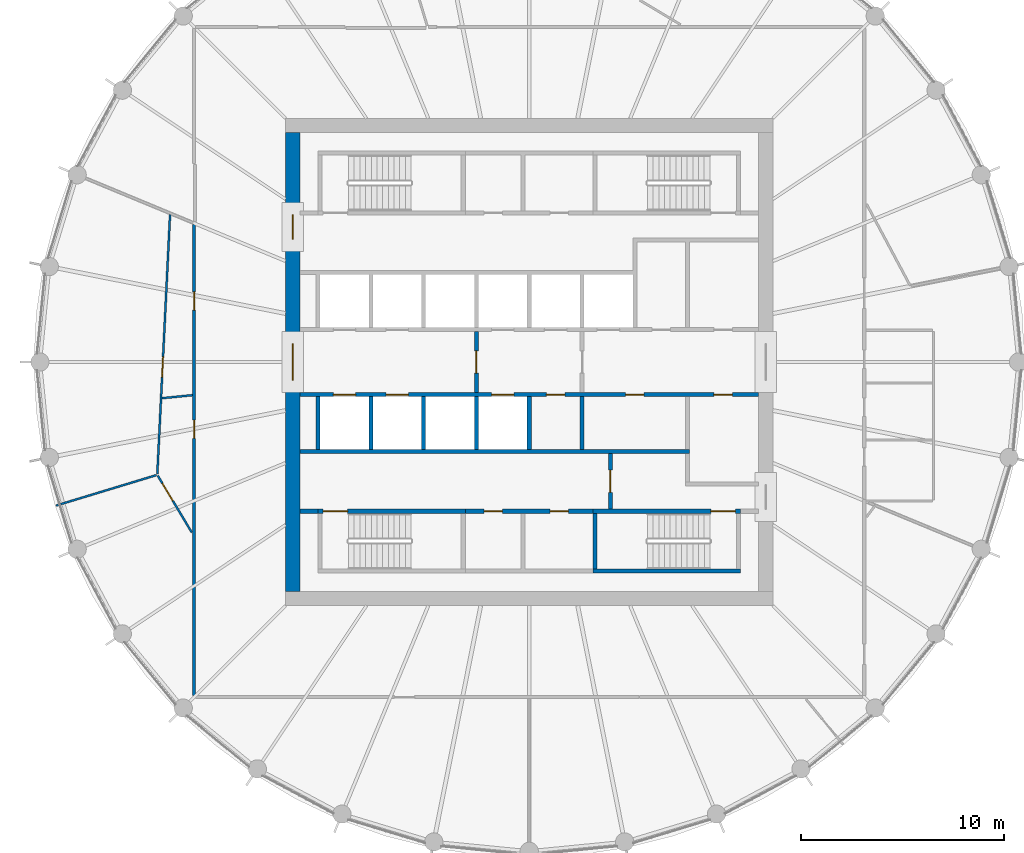
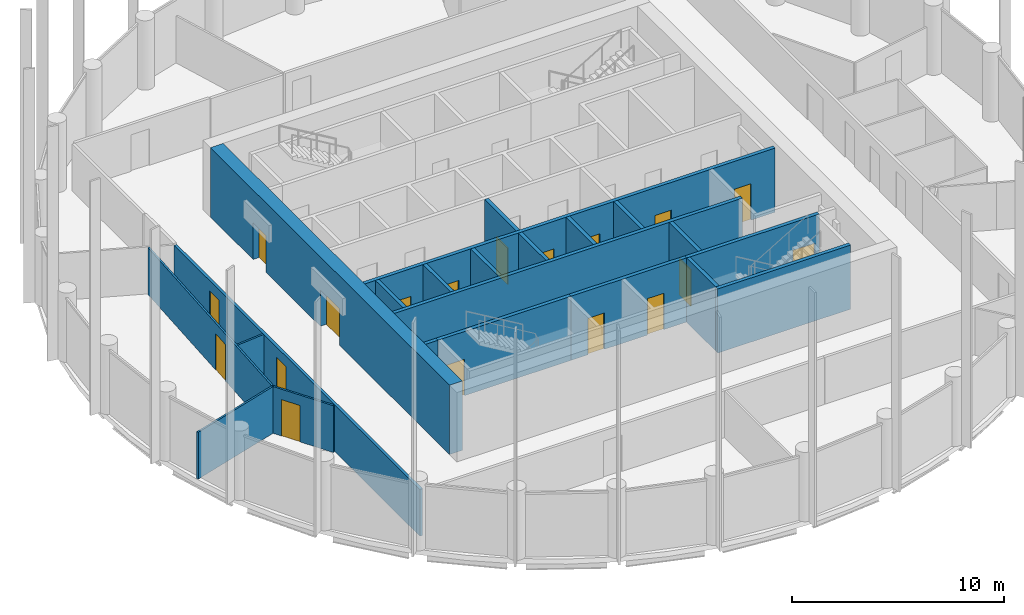
# One storey, part 4 of 7: 22 walls, 18 doors, 18 openings.
"""IFC4 building model written with IfcOpenShell, lengths in metres."""

from ifc_helpers import new_model, si_unit, direction, frame, frame_2d, origin, place, context, subcontext, project, spatial, polyline, rectangle, outline, extrude, material, layer, layer_set, type_object, element, fill, save


model = new_model("IFC4")

# Units and contexts
model_context = context("Model", 3, precision=1e-05, world=origin(), true_north=direction((0.0, 1.0)))
body_context = subcontext(model_context, "Body", "Model", "MODEL_VIEW")
ifc_project = project(units=[si_unit("LENGTHUNIT", "METRE"), si_unit("AREAUNIT", "SQUARE_METRE"), si_unit("VOLUMEUNIT", "CUBIC_METRE"), si_unit("PLANEANGLEUNIT", "RADIAN"), si_unit("MASSUNIT", "GRAM", prefix="KILO")], contexts=[model_context])

# Site, building, storey
site_placement = place(None, origin())
site = spatial("IfcSite", under=ifc_project, at=site_placement, CompositionType="ELEMENT")
building_placement = place(site_placement, origin())
building = spatial("IfcBuilding", under=site, at=building_placement, Name="Corvane Civic Tower", CompositionType="ELEMENT")
storey_placement = place(building_placement, frame((0.0, 0.0, 311.0)))
storey = spatial("IfcBuildingStorey", under=building, at=storey_placement, Name="L74", CompositionType="ELEMENT", Elevation=311.0)

# Wall, openings, doors
ifc_material_1 = material(Name="Concrete C40/50", Category="concrete")
ifc_layer_1 = layer(ifc_material_1, 0.699951171875)
ifc_layer_set_1 = layer_set([ifc_layer_1], Name="Concrete C40/50")
wall_type_1 = type_object("IfcWallType", Name="CORE WALL 700 C40/50", PredefinedType="SHEAR", material=ifc_layer_set_1)
wall_1_placement = place(storey_placement, frame((-11.64990234375, -11.300048828125, 0.0), z_axis=(0.0, 0.0, 1.0), x_axis=(0.0, 1.0, 0.0)))
wall_1 = element("IfcWall", 1, at=wall_1_placement, inside=storey, type_object=wall_type_1, Name="W-L74-core-W", PredefinedType="SHEAR", context=body_context, shape_type="SweptSolid", body=[
    extrude(rectangle(XDim=22.60009765625, YDim=0.699951171875, at=frame_2d((11.300048828125, 0.0))), origin(), (0.0, 0.0, 1.0), 4.0),
])
opening_1_placement = place(wall_1_placement, frame((10.39990234375, 0.0, 0.0)))
opening_1 = element("IfcOpeningElement", 2, at=opening_1_placement, cuts=wall_1, Name="Opening L74.C17", PredefinedType="OPENING", context=body_context, shape_type="SweptSolid", body=[
    extrude(rectangle(XDim=1.800048828125, YDim=2.10009765625, at=frame_2d((0.89990234375, 1.050048828125))), frame((0.0, 0.35986328125, 0.0), z_axis=(0.0, -1.0, 0.0), x_axis=(1.0, 0.0, 0.0)), (0.0, 0.0, 1.0), 0.719970703125),
])
opening_2_placement = place(wall_1_placement, frame((17.35009765625, 0.0, 0.0)))
opening_2 = element("IfcOpeningElement", 3, at=opening_2_placement, cuts=wall_1, Name="Opening L74.C19", PredefinedType="OPENING", context=body_context, shape_type="SweptSolid", body=[
    extrude(rectangle(XDim=1.199951171875, YDim=2.10009765625, at=frame_2d((0.60009765625, 1.050048828125))), frame((0.0, 0.35986328125, 0.0), z_axis=(0.0, -1.0, 0.0), x_axis=(1.0, 0.0, 0.0)), (0.0, 0.0, 1.0), 0.719970703125),
])
ifc_material_2 = material(Name="Steel fire door leaf", Category="steel")
door_type_1 = type_object("IfcDoorType", Name="CR-DOOR-CORE-1800", OperationType="DOUBLE_DOOR_SINGLE_SWING", PredefinedType="DOOR", material=ifc_material_2)
door_1_placement = place(opening_1_placement, origin())
door_1 = element("IfcDoor", 4, at=door_1_placement, inside=storey, type_object=door_type_1, Name="L74 door", OperationType="DOUBLE_DOOR_SINGLE_SWING", OverallHeight=2.10009765625, OverallWidth=1.800048828125, PredefinedType="DOOR", context=body_context, shape_type="SweptSolid", body=[
    extrude(rectangle(XDim=1.800048828125, YDim=2.10009765625, at=frame_2d((0.89990234375, 1.050048828125))), frame((0.0, 0.02490234375, 0.0), z_axis=(0.0, -1.0, 0.0), x_axis=(1.0, 0.0, 0.0)), (0.0, 0.0, 1.0), 0.050048828125),
])
fill(opening_1, door_1)
door_2_placement = place(opening_2_placement, origin())
door_2 = element("IfcDoor", 5, at=door_2_placement, inside=storey, type_object=door_type_1, Name="L74 door", OperationType="DOUBLE_DOOR_SINGLE_SWING", OverallHeight=2.10009765625, OverallWidth=1.199951171875, PredefinedType="DOOR", context=body_context, shape_type="SweptSolid", body=[
    extrude(rectangle(XDim=1.199951171875, YDim=2.10009765625, at=frame_2d((0.60009765625, 1.050048828125))), frame((0.0, 0.02490234375, 0.0), z_axis=(0.0, -1.0, 0.0), x_axis=(1.0, 0.0, 0.0)), (0.0, 0.0, 1.0), 0.050048828125),
])
fill(opening_2, door_2)

ifc_material_3 = material(Name="Concrete C30/37", Category="concrete")
ifc_layer_2 = layer(ifc_material_3, 0.199951171875)
ifc_layer_set_2 = layer_set([ifc_layer_2], Name="Concrete C30/37")
wall_type_2 = type_object("IfcWallType", Name="CR-WALL-200", PredefinedType="PARTITIONING", material=ifc_layer_set_2)
wall_2_placement = place(storey_placement, frame((-3.14990234375, -7.35009765625, 0.0), z_axis=(0.0, 0.0, 1.0), x_axis=(1.0, 0.0, 0.0)))
wall_2 = element("IfcWall", 6, at=wall_2_placement, inside=storey, type_object=wall_type_2, Name="L74 core partition wall", PredefinedType="PARTITIONING", context=body_context, shape_type="SweptSolid", body=[
    extrude(rectangle(XDim=6.2998046875, YDim=0.199951171875, at=frame_2d((3.14990234375, 0.0))), origin(), (0.0, 0.0, 1.0), 3.699951171875),
])
opening_3_placement = place(wall_2_placement, frame((0.925048828125, 0.0, 0.0)))
opening_3 = element("IfcOpeningElement", 7, at=opening_3_placement, cuts=wall_2, Name="Opening L74.C08", PredefinedType="OPENING", context=body_context, shape_type="SweptSolid", body=[
    extrude(rectangle(XDim=0.89990234375, YDim=2.10009765625, at=frame_2d((0.449951171875, 1.050048828125))), frame((0.0, 0.10986328125, 0.0), z_axis=(0.0, -1.0, 0.0), x_axis=(1.0, 0.0, 0.0)), (0.0, 0.0, 1.0), 0.219970703125),
])
opening_4_placement = place(wall_2_placement, frame((4.175048828125, 0.0, 0.0)))
opening_4 = element("IfcOpeningElement", 8, at=opening_4_placement, cuts=wall_2, Name="Opening L74.C09", PredefinedType="OPENING", context=body_context, shape_type="SweptSolid", body=[
    extrude(rectangle(XDim=0.89990234375, YDim=2.10009765625, at=frame_2d((0.449951171875, 1.050048828125))), frame((0.0, 0.10986328125, 0.0), z_axis=(0.0, -1.0, 0.0), x_axis=(1.0, 0.0, 0.0)), (0.0, 0.0, 1.0), 0.219970703125),
])
ifc_material_4 = material(Name="Steel fire door leaf", Category="steel")
door_type_2 = type_object("IfcDoorType", Name="CR-DOOR-900", OperationType="SINGLE_SWING_LEFT", PredefinedType="DOOR", material=ifc_material_4)
door_3_placement = place(opening_3_placement, origin())
door_3 = element("IfcDoor", 9, at=door_3_placement, inside=storey, type_object=door_type_2, Name="L74 door", OperationType="SINGLE_SWING_LEFT", OverallHeight=2.10009765625, OverallWidth=0.89990234375, PredefinedType="DOOR", context=body_context, shape_type="SweptSolid", body=[
    extrude(rectangle(XDim=0.89990234375, YDim=2.10009765625, at=frame_2d((0.449951171875, 1.050048828125))), frame((0.0, 0.02490234375, 0.0), z_axis=(0.0, -1.0, 0.0), x_axis=(1.0, 0.0, 0.0)), (0.0, 0.0, 1.0), 0.050048828125),
])
fill(opening_3, door_3)
door_4_placement = place(opening_4_placement, origin())
door_4 = element("IfcDoor", 10, at=door_4_placement, inside=storey, type_object=door_type_2, Name="L74 door", OperationType="SINGLE_SWING_LEFT", OverallHeight=2.10009765625, OverallWidth=0.89990234375, PredefinedType="DOOR", context=body_context, shape_type="SweptSolid", body=[
    extrude(rectangle(XDim=0.89990234375, YDim=2.10009765625, at=frame_2d((0.449951171875, 1.050048828125))), frame((0.0, 0.02490234375, 0.0), z_axis=(0.0, -1.0, 0.0), x_axis=(1.0, 0.0, 0.0)), (0.0, 0.0, 1.0), 0.050048828125),
])
fill(opening_4, door_4)

wall_3_placement = place(storey_placement, frame((-11.300048828125, -1.60009765625, 0.0), z_axis=(0.0, 0.0, 1.0), x_axis=(1.0, 0.0, 0.0)))
wall_3 = element("IfcWall", 11, at=wall_3_placement, inside=storey, type_object=wall_type_2, Name="L74 lift shaft wall", PredefinedType="PARTITIONING", context=body_context, shape_type="SweptSolid", body=[
    extrude(rectangle(XDim=22.60009765625, YDim=0.199951171875, at=frame_2d((11.300048828125, 0.0))), origin(), (0.0, 0.0, 1.0), 3.699951171875),
])
opening_5_placement = place(wall_3_placement, frame((1.64990234375, 0.0, 0.0)))
opening_5 = element("IfcOpeningElement", 12, at=opening_5_placement, cuts=wall_3, Name="Opening LD", PredefinedType="OPENING", context=body_context, shape_type="SweptSolid", body=[
    extrude(rectangle(XDim=1.10009765625, YDim=2.10009765625, at=frame_2d((0.550048828125, 1.050048828125))), frame((0.0, 0.10986328125, 0.0), z_axis=(0.0, -1.0, 0.0), x_axis=(1.0, 0.0, 0.0)), (0.0, 0.0, 1.0), 0.219970703125),
])
opening_6_placement = place(wall_3_placement, frame((4.25, 0.0, 0.0)))
opening_6 = element("IfcOpeningElement", 13, at=opening_6_placement, cuts=wall_3, Name="Opening LD", PredefinedType="OPENING", context=body_context, shape_type="SweptSolid", body=[
    extrude(rectangle(XDim=1.10009765625, YDim=2.10009765625, at=frame_2d((0.550048828125, 1.050048828125))), frame((0.0, 0.10986328125, 0.0), z_axis=(0.0, -1.0, 0.0), x_axis=(1.0, 0.0, 0.0)), (0.0, 0.0, 1.0), 0.219970703125),
])
opening_7_placement = place(wall_3_placement, frame((9.449951171875, 0.0, 0.0)))
opening_7 = element("IfcOpeningElement", 14, at=opening_7_placement, cuts=wall_3, Name="Opening LD", PredefinedType="OPENING", context=body_context, shape_type="SweptSolid", body=[
    extrude(rectangle(XDim=1.10009765625, YDim=2.10009765625, at=frame_2d((0.550048828125, 1.050048828125))), frame((0.0, 0.10986328125, 0.0), z_axis=(0.0, -1.0, 0.0), x_axis=(1.0, 0.0, 0.0)), (0.0, 0.0, 1.0), 0.219970703125),
])
opening_8_placement = place(wall_3_placement, frame((12.14990234375, 0.0, 0.0)))
opening_8 = element("IfcOpeningElement", 15, at=opening_8_placement, cuts=wall_3, Name="Opening L74.C03", PredefinedType="OPENING", context=body_context, shape_type="SweptSolid", body=[
    extrude(rectangle(XDim=0.89990234375, YDim=2.10009765625, at=frame_2d((0.449951171875, 1.050048828125))), frame((0.0, 0.10986328125, 0.0), z_axis=(0.0, -1.0, 0.0), x_axis=(1.0, 0.0, 0.0)), (0.0, 0.0, 1.0), 0.219970703125),
])
opening_9_placement = place(wall_3_placement, frame((16.050048828125, 0.0, 0.0)))
opening_9 = element("IfcOpeningElement", 16, at=opening_9_placement, cuts=wall_3, Name="Opening L74.C04", PredefinedType="OPENING", context=body_context, shape_type="SweptSolid", body=[
    extrude(rectangle(XDim=0.89990234375, YDim=2.10009765625, at=frame_2d((0.449951171875, 1.050048828125))), frame((0.0, 0.10986328125, 0.0), z_axis=(0.0, -1.0, 0.0), x_axis=(1.0, 0.0, 0.0)), (0.0, 0.0, 1.0), 0.219970703125),
])
opening_10_placement = place(wall_3_placement, frame((20.39990234375, 0.0, 0.0)))
opening_10 = element("IfcOpeningElement", 17, at=opening_10_placement, cuts=wall_3, Name="Opening L74.C05", PredefinedType="OPENING", context=body_context, shape_type="SweptSolid", body=[
    extrude(rectangle(XDim=0.89990234375, YDim=2.10009765625, at=frame_2d((0.449951171875, 1.050048828125))), frame((0.0, 0.10986328125, 0.0), z_axis=(0.0, -1.0, 0.0), x_axis=(1.0, 0.0, 0.0)), (0.0, 0.0, 1.0), 0.219970703125),
])
door_5_placement = place(opening_8_placement, origin())
door_5 = element("IfcDoor", 18, at=door_5_placement, inside=storey, type_object=door_type_2, Name="L74 door", OperationType="SINGLE_SWING_LEFT", OverallHeight=2.10009765625, OverallWidth=0.89990234375, PredefinedType="DOOR", context=body_context, shape_type="SweptSolid", body=[
    extrude(rectangle(XDim=0.89990234375, YDim=2.10009765625, at=frame_2d((0.449951171875, 1.050048828125))), frame((0.0, 0.02490234375, 0.0), z_axis=(0.0, -1.0, 0.0), x_axis=(1.0, 0.0, 0.0)), (0.0, 0.0, 1.0), 0.050048828125),
])
fill(opening_8, door_5)
door_6_placement = place(opening_9_placement, origin())
door_6 = element("IfcDoor", 19, at=door_6_placement, inside=storey, type_object=door_type_2, Name="L74 door", OperationType="SINGLE_SWING_LEFT", OverallHeight=2.10009765625, OverallWidth=0.89990234375, PredefinedType="DOOR", context=body_context, shape_type="SweptSolid", body=[
    extrude(rectangle(XDim=0.89990234375, YDim=2.10009765625, at=frame_2d((0.449951171875, 1.050048828125))), frame((0.0, 0.02490234375, 0.0), z_axis=(0.0, -1.0, 0.0), x_axis=(1.0, 0.0, 0.0)), (0.0, 0.0, 1.0), 0.050048828125),
])
fill(opening_9, door_6)
door_7_placement = place(opening_10_placement, origin())
door_7 = element("IfcDoor", 20, at=door_7_placement, inside=storey, type_object=door_type_2, Name="L74 door", OperationType="SINGLE_SWING_LEFT", OverallHeight=2.10009765625, OverallWidth=0.89990234375, PredefinedType="DOOR", context=body_context, shape_type="SweptSolid", body=[
    extrude(rectangle(XDim=0.89990234375, YDim=2.10009765625, at=frame_2d((0.449951171875, 1.050048828125))), frame((0.0, 0.02490234375, 0.0), z_axis=(0.0, -1.0, 0.0), x_axis=(1.0, 0.0, 0.0)), (0.0, 0.0, 1.0), 0.050048828125),
])
fill(opening_10, door_7)
ifc_material_5 = material(Name="Stainless steel 316 door leaves", Category="steel")
door_type_3 = type_object("IfcDoorType", Name="LD", OperationType="DOUBLE_DOOR_SLIDING", PredefinedType="DOOR", material=ifc_material_5)
door_8_placement = place(opening_5_placement, origin())
door_8 = element("IfcDoor", 21, at=door_8_placement, inside=storey, type_object=door_type_3, Name="L74 landing door", OperationType="DOUBLE_DOOR_SLIDING", OverallHeight=2.10009765625, OverallWidth=1.10009765625, PredefinedType="DOOR", context=body_context, shape_type="SweptSolid", body=[
    extrude(rectangle(XDim=1.10009765625, YDim=2.10009765625, at=frame_2d((0.550048828125, 1.050048828125))), frame((0.0, 0.02490234375, 0.0), z_axis=(0.0, -1.0, 0.0), x_axis=(1.0, 0.0, 0.0)), (0.0, 0.0, 1.0), 0.050048828125),
])
fill(opening_5, door_8)
door_9_placement = place(opening_6_placement, origin())
door_9 = element("IfcDoor", 22, at=door_9_placement, inside=storey, type_object=door_type_3, Name="L74 landing door", OperationType="DOUBLE_DOOR_SLIDING", OverallHeight=2.10009765625, OverallWidth=1.10009765625, PredefinedType="DOOR", context=body_context, shape_type="SweptSolid", body=[
    extrude(rectangle(XDim=1.10009765625, YDim=2.10009765625, at=frame_2d((0.550048828125, 1.050048828125))), frame((0.0, 0.02490234375, 0.0), z_axis=(0.0, -1.0, 0.0), x_axis=(1.0, 0.0, 0.0)), (0.0, 0.0, 1.0), 0.050048828125),
])
fill(opening_6, door_9)
door_10_placement = place(opening_7_placement, origin())
door_10 = element("IfcDoor", 23, at=door_10_placement, inside=storey, type_object=door_type_3, Name="L74 landing door", OperationType="DOUBLE_DOOR_SLIDING", OverallHeight=2.10009765625, OverallWidth=1.10009765625, PredefinedType="DOOR", context=body_context, shape_type="SweptSolid", body=[
    extrude(rectangle(XDim=1.10009765625, YDim=2.10009765625, at=frame_2d((0.550048828125, 1.050048828125))), frame((0.0, 0.02490234375, 0.0), z_axis=(0.0, -1.0, 0.0), x_axis=(1.0, 0.0, 0.0)), (0.0, 0.0, 1.0), 0.050048828125),
])
fill(opening_7, door_10)

# Wall, opening, door
wall_4_placement = place(storey_placement, frame((-2.60009765625, -1.5, 0.0), z_axis=(0.0, 0.0, 1.0), x_axis=(0.0, 1.0, 0.0)))
wall_4 = element("IfcWall", 24, at=wall_4_placement, inside=storey, type_object=wall_type_2, Name="L74 firefighting lobby wall", PredefinedType="PARTITIONING", context=body_context, shape_type="SweptSolid", body=[
    extrude(rectangle(XDim=3.0, YDim=0.199951171875, at=frame_2d((1.5, 0.0))), origin(), (0.0, 0.0, 1.0), 3.699951171875),
])
opening_11_placement = place(wall_4_placement, frame((0.949951171875, 0.0, 0.0)))
opening_11 = element("IfcOpeningElement", 25, at=opening_11_placement, cuts=wall_4, Name="Opening L74.C14", PredefinedType="OPENING", context=body_context, shape_type="SweptSolid", body=[
    extrude(rectangle(XDim=1.10009765625, YDim=2.10009765625, at=frame_2d((0.550048828125, 1.050048828125))), frame((0.0, 0.10986328125, 0.0), z_axis=(0.0, -1.0, 0.0), x_axis=(1.0, 0.0, 0.0)), (0.0, 0.0, 1.0), 0.219970703125),
])
ifc_material_6 = material(Name="Steel fire door leaf", Category="steel")
door_type_4 = type_object("IfcDoorType", Name="CR-DOOR-FFL-1100", OperationType="SINGLE_SWING_LEFT", PredefinedType="DOOR", material=ifc_material_6)
door_11_placement = place(opening_11_placement, origin())
door_11 = element("IfcDoor", 26, at=door_11_placement, inside=storey, type_object=door_type_4, Name="L74 lobby door", OperationType="SINGLE_SWING_LEFT", OverallHeight=2.10009765625, OverallWidth=1.10009765625, PredefinedType="DOOR", context=body_context, shape_type="SweptSolid", body=[
    extrude(rectangle(XDim=1.10009765625, YDim=2.10009765625, at=frame_2d((0.550048828125, 1.050048828125))), frame((0.0, 0.02490234375, 0.0), z_axis=(0.0, -1.0, 0.0), x_axis=(1.0, 0.0, 0.0)), (0.0, 0.0, 1.0), 0.050048828125),
])
fill(opening_11, door_11)

wall_5_placement = place(storey_placement, frame((4.0, -7.25, 0.0), z_axis=(0.0, 0.0, 1.0), x_axis=(0.0, 1.0, 0.0)))
wall_5 = element("IfcWall", 27, at=wall_5_placement, inside=storey, type_object=wall_type_2, Name="L74 core partition wall", PredefinedType="PARTITIONING", context=body_context, shape_type="SweptSolid", body=[
    extrude(rectangle(XDim=2.75, YDim=0.199951171875, at=frame_2d((1.375, 0.0))), origin(), (0.0, 0.0, 1.0), 3.699951171875),
])
opening_12_placement = place(wall_5_placement, frame((0.824951171875, 0.0, 0.0)))
opening_12 = element("IfcOpeningElement", 28, at=opening_12_placement, cuts=wall_5, Name="Opening L74.C16", PredefinedType="OPENING", context=body_context, shape_type="SweptSolid", body=[
    extrude(rectangle(XDim=1.10009765625, YDim=2.10009765625, at=frame_2d((0.550048828125, 1.050048828125))), frame((0.0, 0.10986328125, 0.0), z_axis=(0.0, -1.0, 0.0), x_axis=(1.0, 0.0, 0.0)), (0.0, 0.0, 1.0), 0.219970703125),
])
door_12_placement = place(opening_12_placement, origin())
door_12 = element("IfcDoor", 29, at=door_12_placement, inside=storey, type_object=door_type_4, Name="L74 lobby door", OperationType="SINGLE_SWING_LEFT", OverallHeight=2.10009765625, OverallWidth=1.10009765625, PredefinedType="DOOR", context=body_context, shape_type="SweptSolid", body=[
    extrude(rectangle(XDim=1.10009765625, YDim=2.10009765625, at=frame_2d((0.550048828125, 1.050048828125))), frame((0.0, 0.02490234375, 0.0), z_axis=(0.0, -1.0, 0.0), x_axis=(1.0, 0.0, 0.0)), (0.0, 0.0, 1.0), 0.050048828125),
])
fill(opening_12, door_12)

# Walls
wall_6_placement = place(storey_placement, origin())
element("IfcWall", 30, at=wall_6_placement, inside=storey, type_object=wall_type_2, Name="L74 core partition wall", PredefinedType="PARTITIONING", context=body_context, shape_type="SweptSolid", body=[
    extrude(outline(polyline([(7.89990234375, -4.300048828125), (7.89990234375, -4.5), (-11.300048828125, -4.5), (-11.300048828125, -4.300048828125), (7.89990234375, -4.300048828125)])), origin(), (0.0, 0.0, 1.0), 3.699951171875),
])
wall_7_placement = place(storey_placement, origin())
element("IfcWall", 31, at=wall_7_placement, inside=storey, type_object=wall_type_2, Name="L74 core partition wall", PredefinedType="PARTITIONING", context=body_context, shape_type="SweptSolid", body=[
    extrude(outline(polyline([(-2.5, -1.699951171875), (-2.5, -4.2998046875), (-2.699951171875, -4.2998046875), (-2.699951171875, -1.699951171875), (-2.5, -1.699951171875)])), origin(), (0.0, 0.0, 1.0), 3.699951171875),
])
wall_8_placement = place(storey_placement, origin())
element("IfcWall", 32, at=wall_8_placement, inside=storey, type_object=wall_type_2, Name="L74 core partition wall", PredefinedType="PARTITIONING", context=body_context, shape_type="SweptSolid", body=[
    extrude(outline(polyline([(2.699951171875, -1.699951171875), (2.699951171875, -4.2998046875), (2.5, -4.2998046875), (2.5, -1.699951171875), (2.699951171875, -1.699951171875)])), origin(), (0.0, 0.0, 1.0), 3.699951171875),
])
wall_9_placement = place(storey_placement, origin())
element("IfcWall", 33, at=wall_9_placement, inside=storey, type_object=wall_type_2, Name="L74 core partition wall", PredefinedType="PARTITIONING", context=body_context, shape_type="SweptSolid", body=[
    extrude(outline(polyline([(0.10009765625, -1.699951171875), (0.10009765625, -4.2998046875), (-0.10009765625, -4.2998046875), (-0.10009765625, -1.699951171875), (0.10009765625, -1.699951171875)])), origin(), (0.0, 0.0, 1.0), 3.699951171875),
])
wall_10_placement = place(storey_placement, origin())
element("IfcWall", 34, at=wall_10_placement, inside=storey, type_object=wall_type_2, Name="L74 core partition wall", PredefinedType="PARTITIONING", context=body_context, shape_type="SweptSolid", body=[
    extrude(outline(polyline([(-10.300048828125, -1.699951171875), (-10.300048828125, -4.2998046875), (-10.5, -4.2998046875), (-10.5, -1.699951171875), (-10.300048828125, -1.699951171875)])), origin(), (0.0, 0.0, 1.0), 3.699951171875),
])
wall_11_placement = place(storey_placement, origin())
element("IfcWall", 35, at=wall_11_placement, inside=storey, type_object=wall_type_2, Name="L74 core partition wall", PredefinedType="PARTITIONING", context=body_context, shape_type="SweptSolid", body=[
    extrude(outline(polyline([(-7.699951171875, -1.699951171875), (-7.699951171875, -4.2998046875), (-7.89990234375, -4.2998046875), (-7.89990234375, -1.699951171875), (-7.699951171875, -1.699951171875)])), origin(), (0.0, 0.0, 1.0), 3.699951171875),
])
wall_12_placement = place(storey_placement, origin())
element("IfcWall", 36, at=wall_12_placement, inside=storey, type_object=wall_type_2, Name="L74 core partition wall", PredefinedType="PARTITIONING", context=body_context, shape_type="SweptSolid", body=[
    extrude(outline(polyline([(-5.10009765625, -1.699951171875), (-5.10009765625, -4.2998046875), (-5.300048828125, -4.2998046875), (-5.300048828125, -1.699951171875), (-5.10009765625, -1.699951171875)])), origin(), (0.0, 0.0, 1.0), 3.699951171875),
])
wall_13_placement = place(storey_placement, origin())
element("IfcWall", 37, at=wall_13_placement, inside=storey, type_object=wall_type_2, Name="L74 core partition wall", PredefinedType="PARTITIONING", context=body_context, shape_type="SweptSolid", body=[
    extrude(outline(polyline([(-10.39990234375, -7.449951171875), (-11.300048828125, -7.449951171875), (-11.300048828125, -7.25), (-10.39990234375, -7.25), (-10.39990234375, -7.449951171875)])), origin(), (0.0, 0.0, 1.0), 3.699951171875),
])

# Wall, opening, door
ifc_material_7 = material(Name="Plasterboard")
ifc_layer_3 = layer(ifc_material_7, 0.10009765625)
ifc_layer_set_3 = layer_set([ifc_layer_3], Name="Plasterboard")
wall_type_3 = type_object("IfcWallType", Name="Partition 100 plasterboard on studs", PredefinedType="PARTITIONING", material=ifc_layer_set_3)
wall_14_placement = place(storey_placement, frame((-18.299560546875, -5.5908203125, 0.0), z_axis=(0.0, 0.0, 1.0), x_axis=(0.514100563047, -0.857729917325, 0.0)))
wall_14 = element("IfcWall", 38, at=wall_14_placement, inside=storey, type_object=wall_type_3, Name="Partition L74.008", PredefinedType="PARTITIONING", context=body_context, shape_type="SweptSolid", body=[
    extrude(rectangle(XDim=3.27099609375, YDim=0.10009765625, at=frame_2d((1.635498046875, 0.0))), origin(), (0.0, 0.0, 1.0), 2.699951171875),
])
opening_13_placement = place(wall_14_placement, frame((0.454833984375, 0.0, 0.0)))
opening_13 = element("IfcOpeningElement", 39, at=opening_13_placement, cuts=wall_14, Name="Opening L74.004", PredefinedType="OPENING", context=body_context, shape_type="SweptSolid", body=[
    extrude(rectangle(XDim=1.0, YDim=2.10009765625, at=frame_2d((0.5, 1.050048828125))), frame((0.0, 0.06005859375, 0.0), z_axis=(0.0, -1.0, 0.0), x_axis=(1.0, 0.0, 0.0)), (0.0, 0.0, 1.0), 0.1201171875),
])
ifc_material_8 = material(Name="Timber", Category="wood")
door_type_5 = type_object("IfcDoorType", Name="Single door 1000", OperationType="NOTDEFINED", PredefinedType="DOOR", material=ifc_material_8)
door_13_placement = place(opening_13_placement, frame((1.0, 0.0, 0.0), z_axis=(0.0, 0.0, 1.0), x_axis=(-1.0, 0.0, 0.0)))
door_13 = element("IfcDoor", 40, at=door_13_placement, inside=storey, type_object=door_type_5, Name="Door L74.004", OperationType="SINGLE_SWING_LEFT", OverallHeight=2.10009765625, OverallWidth=1.0, PredefinedType="DOOR", context=body_context, shape_type="SweptSolid", body=[
    extrude(rectangle(XDim=1.0, YDim=2.10009765625, at=frame_2d((0.5, 1.050048828125))), frame((0.0, 0.02490234375, 0.0), z_axis=(0.0, -1.0, 0.0), x_axis=(1.0, 0.0, 0.0)), (0.0, 0.0, 1.0), 0.050048828125),
])
fill(opening_13, door_13)

# Wall
wall_15_placement = place(storey_placement, frame((-23.3017578125, -7.068603515625, 0.0), z_axis=(0.0, 0.0, 1.0), x_axis=(0.956940122193, 0.290285381197, 0.0)))
element("IfcWall", 41, at=wall_15_placement, inside=storey, type_object=wall_type_3, Name="Partition L74.010", PredefinedType="PARTITIONING", context=body_context, shape_type="SweptSolid", body=[
    extrude(rectangle(XDim=5.167236328125, YDim=0.10009765625, at=frame_2d((2.58349609375, 0.0))), origin(), (0.0, 0.0, 1.0), 2.699951171875),
])

# Wall, opening, door
wall_16_placement = place(storey_placement, frame((-18.31787109375, -5.52197265625, 0.0), z_axis=(0.0, 0.0, 1.0), x_axis=(0.049066652278, 0.998795506415, 0.0)))
wall_16 = element("IfcWall", 42, at=wall_16_placement, inside=storey, type_object=wall_type_3, Name="Partition L74.014", PredefinedType="PARTITIONING", context=body_context, shape_type="SweptSolid", body=[
    extrude(rectangle(XDim=12.79248046875, YDim=0.10009765625, at=frame_2d((6.396240234375, 0.0))), origin(), (0.0, 0.0, 1.0), 2.699951171875),
])
opening_14_placement = place(wall_16_placement, frame((4.78515625, 0.0, 0.0)))
opening_14 = element("IfcOpeningElement", 43, at=opening_14_placement, cuts=wall_16, Name="Opening L74.005", PredefinedType="OPENING", context=body_context, shape_type="SweptSolid", body=[
    extrude(rectangle(XDim=1.0, YDim=2.10009765625, at=frame_2d((0.5, 1.050048828125))), frame((0.0, 0.06005859375, 0.0), z_axis=(0.0, -1.0, 0.0), x_axis=(1.0, 0.0, 0.0)), (0.0, 0.0, 1.0), 0.1201171875),
])
door_14_placement = place(opening_14_placement, origin())
door_14 = element("IfcDoor", 44, at=door_14_placement, inside=storey, type_object=door_type_5, Name="Door L74.005", OperationType="SINGLE_SWING_RIGHT", OverallHeight=2.10009765625, OverallWidth=1.0, PredefinedType="DOOR", context=body_context, shape_type="SweptSolid", body=[
    extrude(rectangle(XDim=1.0, YDim=2.10009765625, at=frame_2d((0.5, 1.050048828125))), frame((0.0, 0.02490234375, 0.0), z_axis=(0.0, -1.0, 0.0), x_axis=(1.0, 0.0, 0.0)), (0.0, 0.0, 1.0), 0.050048828125),
])
fill(opening_14, door_14)

# Wall
wall_17_placement = place(storey_placement, frame((-18.07666015625, -1.780517578125, 0.0), z_axis=(0.0, 0.0, 1.0), x_axis=(0.995182363929, 0.098041126702, 0.0)))
element("IfcWall", 45, at=wall_17_placement, inside=storey, type_object=wall_type_3, Name="Partition L74.016", PredefinedType="PARTITIONING", context=body_context, shape_type="SweptSolid", body=[
    extrude(rectangle(XDim=1.504150390625, YDim=0.10009765625, at=frame_2d((0.751953125, 0.0))), origin(), (0.0, 0.0, 1.0), 2.699951171875),
])

# Wall, opening, door
ifc_material_9 = material(Name="Concrete C50/60", Category="concrete")
ifc_layer_4 = layer(ifc_material_9, 0.199951171875)
ifc_layer_set_4 = layer_set([ifc_layer_4], Name="Concrete C50/60")
wall_type_4 = type_object("IfcWallType", Name="ST-WALL-200", PredefinedType="SHEAR", material=ifc_layer_set_4)
wall_18_placement = place(storey_placement, frame((-10.39990234375, -7.35009765625, 0.0), z_axis=(0.0, 0.0, 1.0), x_axis=(1.0, 0.0, 0.0)))
wall_18 = element("IfcWall", 46, at=wall_18_placement, inside=storey, type_object=wall_type_4, Name="L74 stair enclosure wall", PredefinedType="SHEAR", context=body_context, shape_type="SweptSolid", body=[
    extrude(rectangle(XDim=7.25, YDim=0.199951171875, at=frame_2d((3.625, 0.0))), origin(), (0.0, 0.0, 1.0), 3.699951171875),
])
opening_15_placement = place(wall_18_placement, frame((0.25, 0.0, 0.0)))
opening_15 = element("IfcOpeningElement", 47, at=opening_15_placement, cuts=wall_18, Name="Opening L74.C13", PredefinedType="OPENING", context=body_context, shape_type="SweptSolid", body=[
    extrude(rectangle(XDim=1.199951171875, YDim=2.10009765625, at=frame_2d((0.60009765625, 1.050048828125))), frame((0.0, 0.10986328125, 0.0), z_axis=(0.0, -1.0, 0.0), x_axis=(1.0, 0.0, 0.0)), (0.0, 0.0, 1.0), 0.219970703125),
])
ifc_material_10 = material(Name="Steel fire door leaf", Category="steel")
door_type_6 = type_object("IfcDoorType", Name="ST-DOOR-1200", OperationType="SINGLE_SWING_RIGHT", PredefinedType="DOOR", material=ifc_material_10)
door_15_placement = place(opening_15_placement, origin())
door_15 = element("IfcDoor", 48, at=door_15_placement, inside=storey, type_object=door_type_6, Name="L74 stair door", OperationType="SINGLE_SWING_RIGHT", OverallHeight=2.10009765625, OverallWidth=1.199951171875, PredefinedType="DOOR", context=body_context, shape_type="SweptSolid", body=[
    extrude(rectangle(XDim=1.199951171875, YDim=2.10009765625, at=frame_2d((0.60009765625, 1.050048828125))), frame((0.0, 0.02490234375, 0.0), z_axis=(0.0, -1.0, 0.0), x_axis=(1.0, 0.0, 0.0)), (0.0, 0.0, 1.0), 0.050048828125),
])
fill(opening_15, door_15)

wall_19_placement = place(storey_placement, frame((3.14990234375, -7.35009765625, 0.0), z_axis=(0.0, 0.0, 1.0), x_axis=(1.0, 0.0, 0.0)))
wall_19 = element("IfcWall", 49, at=wall_19_placement, inside=storey, type_object=wall_type_4, Name="L74 stair enclosure wall", PredefinedType="SHEAR", context=body_context, shape_type="SweptSolid", body=[
    extrude(rectangle(XDim=7.25, YDim=0.199951171875, at=frame_2d((3.625, 0.0))), origin(), (0.0, 0.0, 1.0), 3.699951171875),
])
opening_16_placement = place(wall_19_placement, frame((5.800048828125, 0.0, 0.0)))
opening_16 = element("IfcOpeningElement", 50, at=opening_16_placement, cuts=wall_19, Name="Opening L74.C12", PredefinedType="OPENING", context=body_context, shape_type="SweptSolid", body=[
    extrude(rectangle(XDim=1.199951171875, YDim=2.10009765625, at=frame_2d((0.60009765625, 1.050048828125))), frame((0.0, 0.10986328125, 0.0), z_axis=(0.0, -1.0, 0.0), x_axis=(1.0, 0.0, 0.0)), (0.0, 0.0, 1.0), 0.219970703125),
])
door_16_placement = place(opening_16_placement, origin())
door_16 = element("IfcDoor", 51, at=door_16_placement, inside=storey, type_object=door_type_6, Name="L74 stair door", OperationType="SINGLE_SWING_RIGHT", OverallHeight=2.10009765625, OverallWidth=1.199951171875, PredefinedType="DOOR", context=body_context, shape_type="SweptSolid", body=[
    extrude(rectangle(XDim=1.199951171875, YDim=2.10009765625, at=frame_2d((0.60009765625, 1.050048828125))), frame((0.0, 0.02490234375, 0.0), z_axis=(0.0, -1.0, 0.0), x_axis=(1.0, 0.0, 0.0)), (0.0, 0.0, 1.0), 0.050048828125),
])
fill(opening_16, door_16)

# Walls
wall_20_placement = place(storey_placement, origin())
element("IfcWall", 52, at=wall_20_placement, inside=storey, type_object=wall_type_4, Name="L74 stair enclosure wall", PredefinedType="SHEAR", context=body_context, shape_type="SweptSolid", body=[
    extrude(outline(polyline([(10.39990234375, -10.39990234375), (3.14990234375, -10.39990234375), (3.14990234375, -10.199951171875), (10.39990234375, -10.199951171875), (10.39990234375, -10.39990234375)])), origin(), (0.0, 0.0, 1.0), 3.699951171875),
])
wall_21_placement = place(storey_placement, origin())
element("IfcWall", 53, at=wall_21_placement, inside=storey, type_object=wall_type_4, Name="L74 stair enclosure wall", PredefinedType="SHEAR", context=body_context, shape_type="SweptSolid", body=[
    extrude(outline(polyline([(3.35009765625, -7.449951171875), (3.35009765625, -10.199951171875), (3.14990234375, -10.199951171875), (3.14990234375, -7.449951171875), (3.35009765625, -7.449951171875)])), origin(), (0.0, 0.0, 1.0), 3.699951171875),
])

# Wall, openings, doors
ifc_material_11 = material(Name="Plasterboard")
ifc_layer_5 = layer(ifc_material_11, 0.14990234375)
ifc_layer_set_5 = layer_set([ifc_layer_5], Name="Plasterboard")
wall_type_5 = type_object("IfcWallType", Name="Tenancy wall 150 EI 60", PredefinedType="PARTITIONING", material=ifc_layer_set_5)
wall_22_placement = place(storey_placement, frame((-16.5, -16.425048828125, 0.0), z_axis=(0.0, 0.0, 1.0), x_axis=(0.0, 1.0, 0.0)))
wall_22 = element("IfcWall", 54, at=wall_22_placement, inside=storey, type_object=wall_type_5, Name="Partition L74.005", PredefinedType="PARTITIONING", context=body_context, shape_type="SweptSolid", body=[
    extrude(rectangle(XDim=23.20947265625, YDim=0.14990234375, at=frame_2d((11.604736328125, 0.0))), origin(), (0.0, 0.0, 1.0), 2.699951171875),
])
opening_17_placement = place(wall_22_placement, frame((12.666015625, 0.0, 0.0)))
opening_17 = element("IfcOpeningElement", 55, at=opening_17_placement, cuts=wall_22, Name="Opening L74.006", PredefinedType="OPENING", context=body_context, shape_type="SweptSolid", body=[
    extrude(rectangle(XDim=0.89990234375, YDim=2.10009765625, at=frame_2d((0.449951171875, 1.050048828125))), frame((0.0, 0.0849609375, 0.0), z_axis=(0.0, -1.0, 0.0), x_axis=(1.0, 0.0, 0.0)), (0.0, 0.0, 1.0), 0.169921875),
])
opening_18_placement = place(wall_22_placement, frame((18.97802734375, 0.0, 0.0)))
opening_18 = element("IfcOpeningElement", 56, at=opening_18_placement, cuts=wall_22, Name="Opening L74.007", PredefinedType="OPENING", context=body_context, shape_type="SweptSolid", body=[
    extrude(rectangle(XDim=0.89990234375, YDim=2.10009765625, at=frame_2d((0.449951171875, 1.050048828125))), frame((0.0, 0.0849609375, 0.0), z_axis=(0.0, -1.0, 0.0), x_axis=(1.0, 0.0, 0.0)), (0.0, 0.0, 1.0), 0.169921875),
])
ifc_material_12 = material(Name="Steel and timber", Category="steel")
door_type_7 = type_object("IfcDoorType", Name="Fire door FD30S 900", OperationType="NOTDEFINED", PredefinedType="DOOR", material=ifc_material_12)
door_17_placement = place(opening_17_placement, origin())
door_17 = element("IfcDoor", 57, at=door_17_placement, inside=storey, type_object=door_type_7, Name="Door L74.006", OperationType="SINGLE_SWING_LEFT", OverallHeight=2.10009765625, OverallWidth=0.89990234375, PredefinedType="DOOR", context=body_context, shape_type="SweptSolid", body=[
    extrude(rectangle(XDim=0.89990234375, YDim=2.10009765625, at=frame_2d((0.449951171875, 1.050048828125))), frame((0.0, 0.02490234375, 0.0), z_axis=(0.0, -1.0, 0.0), x_axis=(1.0, 0.0, 0.0)), (0.0, 0.0, 1.0), 0.050048828125),
])
fill(opening_17, door_17)
door_18_placement = place(opening_18_placement, origin())
door_18 = element("IfcDoor", 58, at=door_18_placement, inside=storey, type_object=door_type_7, Name="Door L74.007", OperationType="SINGLE_SWING_LEFT", OverallHeight=2.10009765625, OverallWidth=0.89990234375, PredefinedType="DOOR", context=body_context, shape_type="SweptSolid", body=[
    extrude(rectangle(XDim=0.89990234375, YDim=2.10009765625, at=frame_2d((0.449951171875, 1.050048828125))), frame((0.0, 0.02490234375, 0.0), z_axis=(0.0, -1.0, 0.0), x_axis=(1.0, 0.0, 0.0)), (0.0, 0.0, 1.0), 0.050048828125),
])
fill(opening_18, door_18)

save(model, "model.ifc")
